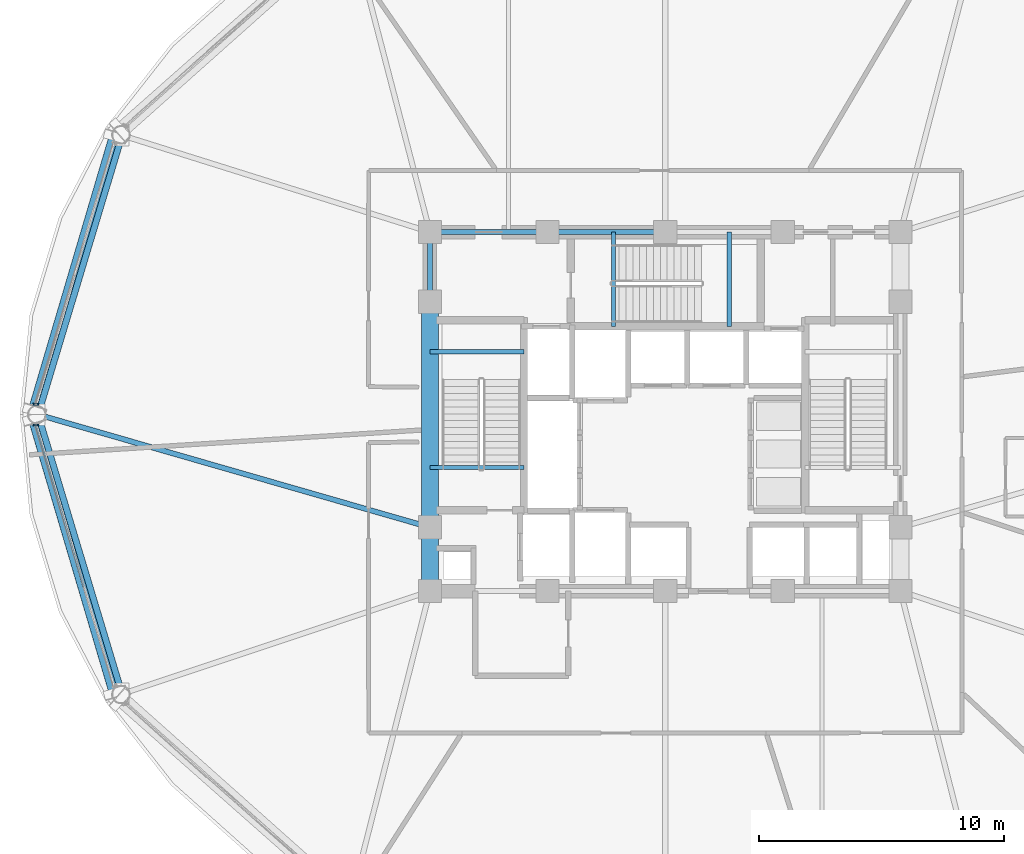
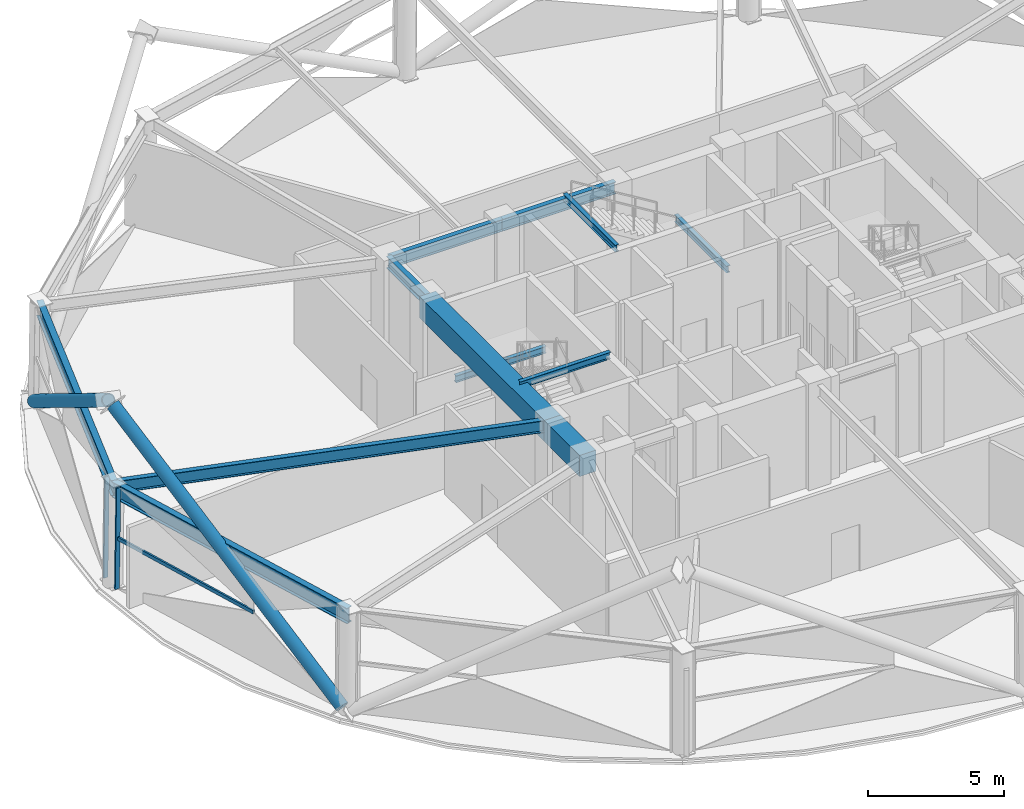
# One storey, part 3 of 17: 12 beams, 5 members, 2 elements without a shape of their own.
"""IFC4 building model written with IfcOpenShell, lengths in metres."""

from ifc_helpers import new_model, si_unit, direction, frame, origin, origin_2d, place, context, subcontext, project, spatial, rectangle, hollow_rectangle, hollow_circle, i_section, extrude, material, layer, layer_set, material_profile, profile_set, type_object, element, aggregate, save


model = new_model("IFC4")

# Units and contexts
model_context = context("Model", 3, precision=1e-05, world=origin(), true_north=direction((0.0, 1.0)))
body_context = subcontext(model_context, "Body", "Model", "MODEL_VIEW")
ifc_project = project(units=[si_unit("LENGTHUNIT", "METRE"), si_unit("AREAUNIT", "SQUARE_METRE"), si_unit("VOLUMEUNIT", "CUBIC_METRE"), si_unit("PLANEANGLEUNIT", "RADIAN"), si_unit("MASSUNIT", "GRAM", prefix="KILO")], contexts=[model_context])

# Site, building, storey
site_placement = place(None, origin())
site = spatial("IfcSite", under=ifc_project, at=site_placement, CompositionType="ELEMENT")
building_placement = place(site_placement, origin())
building = spatial("IfcBuilding", under=site, at=building_placement, Name="Vantalir Tower", CompositionType="ELEMENT")
storey_placement = place(building_placement, frame((0.0, 0.0, 96.14990234375)))
storey = spatial("IfcBuildingStorey", under=building, at=storey_placement, Name="L23", CompositionType="ELEMENT", Elevation=96.14990234375)

# Beams
ifc_material_1 = material(Name="Concrete C60/75", Category="concrete")
ifc_material_profile_1 = material_profile(ifc_material_1, rectangle(XDim=0.699951171875, YDim=0.949951171875, at=origin_2d()), Name="Concrete C60/75")
ifc_profile_set_1 = profile_set([ifc_material_profile_1], Name="Concrete C60/75")
beam_type_1 = type_object("IfcBeamType", Name="BM-CB-700x950", PredefinedType="USERDEFINED", material=ifc_profile_set_1)
beam_1_placement = place(storey_placement, frame((21.89990234375, 29.60009765625, 4.14501953125), z_axis=(0.0, -1.0, 0.0), x_axis=(1.0, 0.0, 0.0)))
element("IfcBeam", 1, at=beam_1_placement, inside=storey, type_object=beam_type_1, Name="L23 Core Coupling Girder 13", ObjectType="GIRDER", PredefinedType="USERDEFINED", context=body_context, shape_type="SweptSolid", body=[
    extrude(rectangle(XDim=0.699951171875, YDim=0.949951171875, at=origin_2d()), origin(), (0.0, 0.0, 1.0), 9.2001953125),
])
beam_2_placement = place(storey_placement, frame((21.89990234375, 20.39990234375, 4.14501953125), z_axis=(0.0, -1.0, 0.0), x_axis=(1.0, 0.0, 0.0)))
element("IfcBeam", 2, at=beam_2_placement, inside=storey, type_object=beam_type_1, Name="L23 Core Coupling Girder 14", ObjectType="GIRDER", PredefinedType="USERDEFINED", context=body_context, shape_type="SweptSolid", body=[
    extrude(rectangle(XDim=0.699951171875, YDim=0.949951171875, at=origin_2d()), origin(), (0.0, 0.0, 1.0), 2.599853515625),
])
ifc_material_2 = material(Name="Steel S355", Category="steel")
ifc_material_profile_2 = material_profile(ifc_material_2, i_section(OverallWidth=0.166015625, OverallDepth=0.306884765625, WebThickness=0.006591796875, FlangeThickness=0.01171875, at=origin_2d()), Name="Steel S355")
ifc_profile_set_2 = profile_set([ifc_material_profile_2], Name="Steel S355")
beam_type_2 = type_object("IfcBeamType", Name="BM-JS-305x165", PredefinedType="JOIST", material=ifc_profile_set_2)
for number, where, z_axis, x_axis, name in (
    (3, (21.89990234375, 22.8349609375, 4.647216796875), (1.0, 0.0, 0.0), (0.0, 1.0, 0.0), "L24 Stair ST1 Well Nosing Trimmer Beam"),
    (4, (21.89990234375, 27.56494140625, 2.046142578125), (1.0, 0.0, 0.0), (0.0, 1.0, 0.0), "L23 Stair ST1 Half-Landing Support Beam"),
):
    element("IfcBeam", number, at=place(storey_placement, frame(where, z_axis=z_axis, x_axis=x_axis)), inside=storey, type_object=beam_type_2, Name=name, PredefinedType="JOIST", context=body_context, shape_type="SweptSolid", body=[
        extrude(i_section(OverallWidth=0.166015625, OverallDepth=0.306884765625, WebThickness=0.006591796875, FlangeThickness=0.01171875, at=origin_2d()), origin(), (0.0, 0.0, 1.0), 3.840087890625),
    ])
for number, where, z_axis, x_axis, name in (
    (5, (29.385009765625, 28.60009765625, 4.647216796875), (0.0, 1.0, 0.0), (-1.0, 0.0, 0.0), "L24 Stair ST3 Well Nosing Trimmer Beam"),
    (6, (34.114990234375, 28.60009765625, 2.046142578125), (0.0, 1.0, 0.0), (-1.0, 0.0, 0.0), "L23 Stair ST3 Half-Landing Support Beam"),
):
    element("IfcBeam", number, at=place(storey_placement, frame(where, z_axis=z_axis, x_axis=x_axis)), inside=storey, type_object=beam_type_2, Name=name, PredefinedType="JOIST", context=body_context, shape_type="SweptSolid", body=[
        extrude(i_section(OverallWidth=0.166015625, OverallDepth=0.306884765625, WebThickness=0.006591796875, FlangeThickness=0.01171875, at=origin_2d()), origin(), (0.0, 0.0, 1.0), 3.849853515625),
    ])
ifc_material_profile_3 = material_profile(ifc_material_2, i_section(OverallWidth=0.2109375, OverallDepth=0.5390625, WebThickness=0.01171875, FlangeThickness=0.018798828125, at=origin_2d()), Name="Steel S355")
ifc_profile_set_3 = profile_set([ifc_material_profile_3], Name="Steel S355")
beam_type_3 = type_object("IfcBeamType", Name="BM-RB-533x210", PredefinedType="BEAM", material=ifc_profile_set_3)
for number, where, z_axis, x_axis, name in (
    (7, (31.5, 32.449951171875, 4.35009765625), (-1.0, 0.0, 0.0), (0.0, -1.0, 0.0), "L23 Core Coupling Girder 10"),
    (8, (26.699951171875, 32.449951171875, 4.35009765625), (-1.0, 0.0, 0.0), (0.0, -1.0, 0.0), "L23 Core Coupling Girder 11"),
):
    element("IfcBeam", number, at=place(storey_placement, frame(where, z_axis=z_axis, x_axis=x_axis)), inside=storey, type_object=beam_type_3, Name=name, PredefinedType="BEAM", context=body_context, shape_type="SweptSolid", body=[
        extrude(i_section(OverallWidth=0.2109375, OverallDepth=0.5390625, WebThickness=0.01171875, FlangeThickness=0.018798828125, at=origin_2d()), origin(), (0.0, 0.0, 1.0), 4.800048828125),
    ])
beam_3_placement = place(storey_placement, frame((21.89990234375, 32.449951171875, 4.35009765625), z_axis=(0.0, -1.0, 0.0), x_axis=(1.0, 0.0, 0.0)))
element("IfcBeam", 9, at=beam_3_placement, inside=storey, type_object=beam_type_3, Name="L23 Core Coupling Girder 12", PredefinedType="BEAM", context=body_context, shape_type="SweptSolid", body=[
    extrude(i_section(OverallWidth=0.2109375, OverallDepth=0.5390625, WebThickness=0.01171875, FlangeThickness=0.018798828125, at=origin_2d()), origin(), (0.0, 0.0, 1.0), 2.849853515625),
])
beam_4_placement = place(storey_placement, frame((5.912109375, 25.0, 4.35009765625), z_axis=(0.961011705277, -0.276507689442, 0.0), x_axis=(0.276507689442, 0.961011705277, 0.0)))
element("IfcBeam", 10, at=beam_4_placement, inside=storey, type_object=beam_type_3, Name="L23 Radial Floor Beam 07", PredefinedType="BEAM", context=body_context, shape_type="SweptSolid", body=[
    extrude(i_section(OverallWidth=0.2109375, OverallDepth=0.5390625, WebThickness=0.01171875, FlangeThickness=0.018798828125, at=origin_2d()), origin(), (0.0, 0.0, 1.0), 16.636474609375),
])
ifc_material_3 = material(Name="Steel S460", Category="steel")
ifc_material_profile_4 = material_profile(ifc_material_3, i_section(OverallWidth=0.256103515625, OverallDepth=0.693115234375, WebThickness=0.014404296875, FlangeThickness=0.023681640625, at=origin_2d()), Name="Steel S460")
ifc_profile_set_4 = profile_set([ifc_material_profile_4], Name="Steel S460")
beam_type_4 = type_object("IfcBeamType", Name="BM-RG-686x254", PredefinedType="USERDEFINED", material=ifc_profile_set_4)
for number, where, z_axis, x_axis, name in (
    (11, (9.340087890625, 36.39404296875, 4.273193359375), (-0.288100770592, -0.95760009711, 0.0), (0.95760009711, -0.288100770592, 0.0), "L23 Circumferential Ring Girder 06"),
    (12, (5.912109375, 25.0, 4.273193359375), (0.288100770592, -0.95760009711, 0.0), (0.95760009711, 0.288100770592, 0.0), "L23 Circumferential Ring Girder 07"),
):
    element("IfcBeam", number, at=place(storey_placement, frame(where, z_axis=z_axis, x_axis=x_axis)), inside=storey, type_object=beam_type_4, Name=name, ObjectType="GIRDER", PredefinedType="USERDEFINED", context=body_context, shape_type="SweptSolid", body=[
        extrude(i_section(OverallWidth=0.256103515625, OverallDepth=0.693115234375, WebThickness=0.014404296875, FlangeThickness=0.023681640625, at=origin_2d()), origin(), (0.0, 0.0, 1.0), 11.8984375),
    ])

# Curtain wall, member
ifc_material_4 = material(Name="Champagne-silver PVDF aluminium and double-silver Low-E glass", Category="aluminium")
ifc_layer = layer(ifc_material_4, 0.22998046875)
ifc_layer_set = layer_set([ifc_layer], Name="Champagne-silver PVDF aluminium and double-silver Low-E glass")
curtain_wall_type = type_object("IfcCurtainWallType", Name="CW-SKYLOBBY", PredefinedType="USERDEFINED", material=ifc_layer_set)
curtain_wall_1_placement = place(storey_placement, origin())
curtain_wall_1 = element("IfcCurtainWall", 13, at=curtain_wall_1_placement, inside=storey, type_object=curtain_wall_type, Name="L23 Quilted Pyramid-Diamond Curtain Wall S06", ObjectType="UNITISED CURTAIN WALL", PredefinedType="USERDEFINED")
ifc_material_5 = material(Name="Champagne-silver PVDF aluminium 6063-T6", Category="aluminium")
ifc_material_profile_5 = material_profile(ifc_material_5, hollow_rectangle(XDim=0.074951171875, YDim=0.179931640625, WallThickness=0.00390625, at=origin_2d()), Name="Champagne-silver PVDF aluminium 6063-T6")
ifc_profile_set_5 = profile_set([ifc_material_profile_5], Name="Champagne-silver PVDF aluminium 6063-T6")
member_type_1 = type_object("IfcMemberType", Name="CWM-180x75", PredefinedType="MULLION", material=ifc_profile_set_5)
member_1_placement = place(storey_placement, frame((5.787109375, 25.4208984375, 0.045166015625), z_axis=(0.013687750195, 0.0, 0.999906318359), x_axis=(0.0, 1.0, 0.0)))
member_1 = element("IfcMember", 14, at=member_1_placement, type_object=member_type_1, Name="CW-L23-S06 Mullion 2", PredefinedType="MULLION", context=body_context, shape_type="SweptSolid", body=[
    extrude(hollow_rectangle(XDim=0.074951171875, YDim=0.179931640625, WallThickness=0.00390625, at=origin_2d()), origin(), (0.0, 0.0, 1.0), 4.530517578125),
])
aggregate(curtain_wall_1, [member_1])

# Curtain wall, members
curtain_wall_2_placement = place(storey_placement, origin())
curtain_wall_2 = element("IfcCurtainWall", 15, at=curtain_wall_2_placement, inside=storey, type_object=curtain_wall_type, Name="L23 Quilted Pyramid-Diamond Curtain Wall S07", ObjectType="UNITISED CURTAIN WALL", PredefinedType="USERDEFINED")
member_2_placement = place(storey_placement, frame((5.787109375, 24.5791015625, 0.045166015625), z_axis=(0.013687750195, 0.0, 0.999906318359), x_axis=(0.0, 1.0, 0.0)))
member_2 = element("IfcMember", 16, at=member_2_placement, type_object=member_type_1, Name="CW-L23-S07 Mullion 1", PredefinedType="MULLION", context=body_context, shape_type="SweptSolid", body=[
    extrude(hollow_rectangle(XDim=0.074951171875, YDim=0.179931640625, WallThickness=0.00390625, at=origin_2d()), origin(), (0.0, 0.0, 1.0), 4.530517578125),
])
ifc_material_profile_6 = material_profile(ifc_material_5, hollow_rectangle(XDim=0.074951171875, YDim=0.159912109375, WallThickness=0.00390625, at=origin_2d()), Name="Champagne-silver PVDF aluminium 6063-T6")
ifc_profile_set_6 = profile_set([ifc_material_profile_6], Name="Champagne-silver PVDF aluminium 6063-T6")
member_type_2 = type_object("IfcMemberType", Name="CWT-160x75", PredefinedType="USERDEFINED", material=ifc_profile_set_6)
member_3_placement = place(storey_placement, frame((5.818115234375, 24.5791015625, 2.31005859375), z_axis=(0.284517024279, -0.958670987824, 0.0), x_axis=(0.958670987824, 0.284517024279, 0.0)))
member_3 = element("IfcMember", 17, at=member_3_placement, type_object=member_type_2, Name="CW-L23-S07 Pyramid Fold Ridge Transom", ObjectType="TRANSOM", PredefinedType="USERDEFINED", context=body_context, shape_type="SweptSolid", body=[
    extrude(hollow_rectangle(XDim=0.074951171875, YDim=0.159912109375, WallThickness=0.00390625, at=origin_2d()), origin(), (0.0, 0.0, 1.0), 6.90234375),
])
aggregate(curtain_wall_2, [member_2, member_3])

# Members
ifc_material_profile_7 = material_profile(ifc_material_3, hollow_circle(Radius=0.260009765625, WallThickness=0.0380859375, at=origin_2d()), Name="Steel S460")
ifc_profile_set_7 = profile_set([ifc_material_profile_7], Name="Steel S460")
member_type_3 = type_object("IfcMemberType", Name="MEM-DB-520x38", PredefinedType="BRACE", material=ifc_profile_set_7)
member_4_placement = place(storey_placement, frame((9.071044921875, 36.342041015625, 0.2041015625), z_axis=(-0.233799896099, -0.791690165605, 0.564414998267), x_axis=(0.959053436683, -0.283225185295, 0.0)))
element("IfcMember", 18, at=member_4_placement, inside=storey, type_object=member_type_3, Name="L23 Perimeter S460 Diagrid Brace R16L", PredefinedType="BRACE", context=body_context, shape_type="SweptSolid", body=[
    extrude(hollow_circle(Radius=0.260009765625, WallThickness=0.0380859375, at=origin_2d()), origin(), (0.0, 0.0, 1.0), 14.1064453125),
])
member_5_placement = place(storey_placement, frame((9.071044921875, 13.656982421875, 0.2041015625), z_axis=(-0.233787082712, 0.791716001177, 0.564384065541), x_axis=(-0.959060163042, -0.283202407592, 0.0)))
element("IfcMember", 19, at=member_5_placement, inside=storey, type_object=member_type_3, Name="L23 Perimeter S460 Diagrid Brace R22R", PredefinedType="BRACE", context=body_context, shape_type="SweptSolid", body=[
    extrude(hollow_circle(Radius=0.260009765625, WallThickness=0.0380859375, at=origin_2d()), origin(), (0.0, 0.0, 1.0), 14.107177734375),
])

save(model, "model.ifc")
